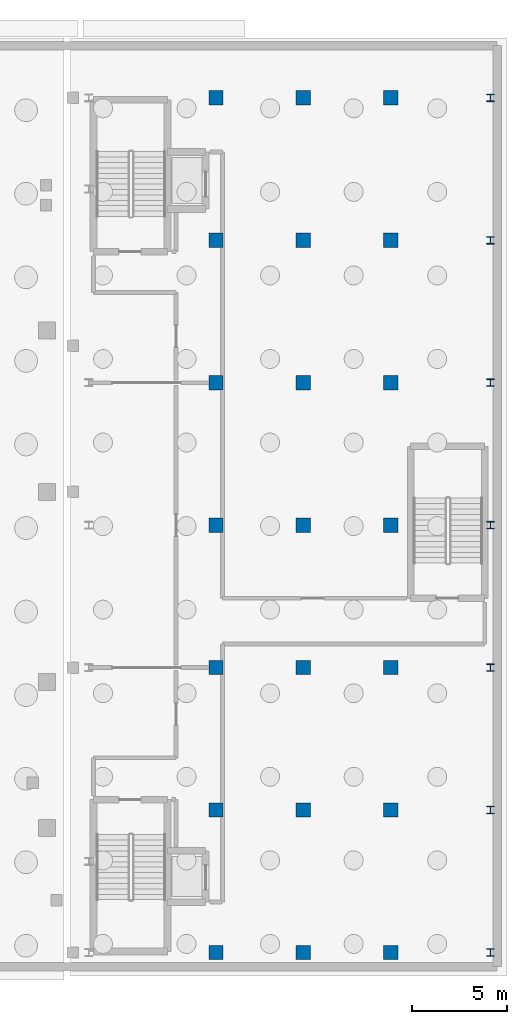
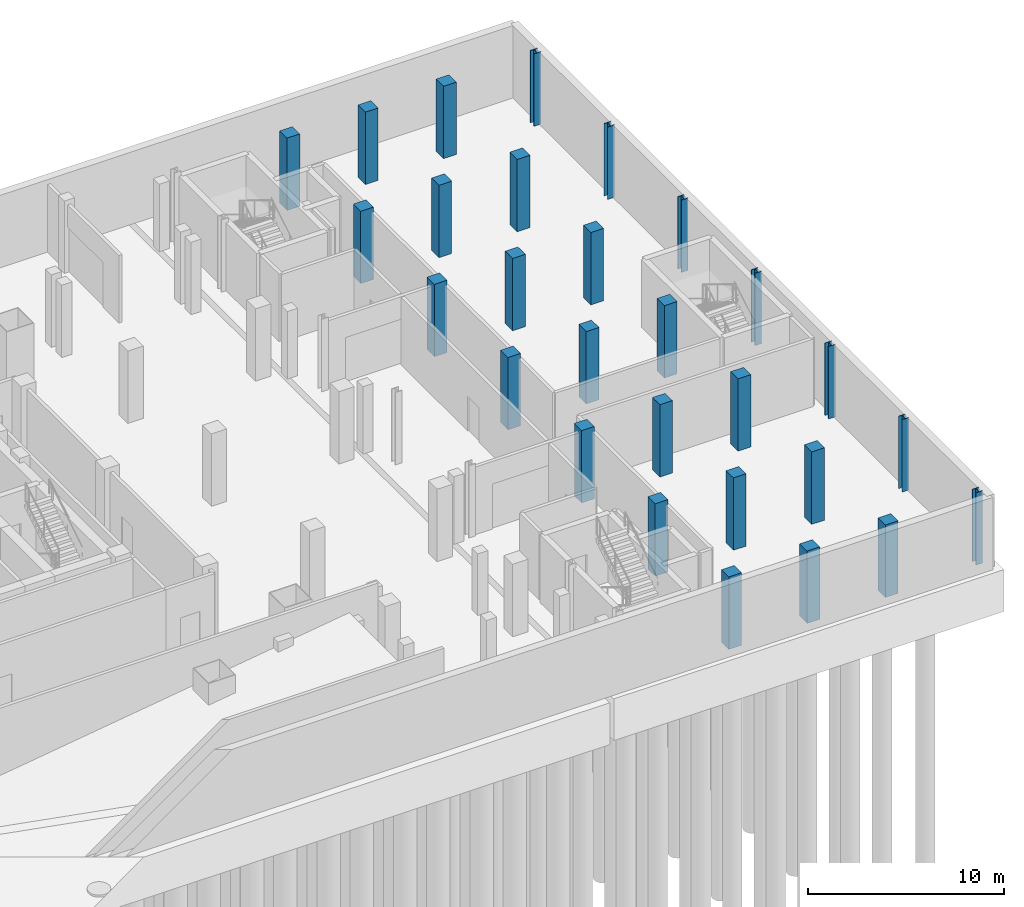
# One storey, part 4 of 15: 28 columns.
"""IFC4 building model written with IfcOpenShell, lengths in metres."""

from ifc_helpers import new_model, si_unit, direction, frame, origin, origin_2d, place, context, subcontext, project, spatial, rectangle, i_section, extrude, material, material_profile, profile_set, type_object, element, save


model = new_model("IFC4")

# Units and contexts
model_context = context("Model", 3, precision=1e-05, world=origin(), true_north=direction((0.0, 1.0)))
body_context = subcontext(model_context, "Body", "Model", "MODEL_VIEW")
ifc_project = project(units=[si_unit("LENGTHUNIT", "METRE"), si_unit("AREAUNIT", "SQUARE_METRE"), si_unit("VOLUMEUNIT", "CUBIC_METRE"), si_unit("PLANEANGLEUNIT", "RADIAN"), si_unit("MASSUNIT", "GRAM", prefix="KILO")], contexts=[model_context])

# Site, building, storey
site_placement = place(None, origin())
site = spatial("IfcSite", under=ifc_project, at=site_placement, CompositionType="ELEMENT")
building_placement = place(site_placement, origin())
building = spatial("IfcBuilding", under=site, at=building_placement, Name="Mersakhor Tower and Convention Hall", CompositionType="ELEMENT")
storey_placement = place(building_placement, frame((0.0, 0.0, -9.0)))
storey = spatial("IfcBuildingStorey", under=building, at=storey_placement, Name="B02", CompositionType="ELEMENT", Elevation=-9.0)

# Columns
ifc_material_1 = material(Name="Concrete C50/60", Category="concrete")
ifc_material_profile_1 = material_profile(ifc_material_1, rectangle(XDim=0.75, YDim=0.75, at=origin_2d()), Name="RC 750x750")
ifc_profile_set_1 = profile_set([ifc_material_profile_1], Name="Concrete C50/60")
column_type_1 = type_object("IfcColumnType", Name="COL-RC-750", PredefinedType="COLUMN", material=ifc_profile_set_1)
for number, where, z_axis, x_axis, name in (
    (1, (62.199951171875, 3.25, 0.0), (0.0, 0.0, 1.0), (1.0, 0.0, 0.0), "Convention B02 Interior Column CC-11"),
    (2, (62.199951171875, 10.75, 0.0), (0.0, 0.0, 1.0), (1.0, 0.0, 0.0), "Convention B02 Interior Column CC-12"),
    (3, (62.199951171875, 18.25, 0.0), (0.0, 0.0, 1.0), (1.0, 0.0, 0.0), "Convention B02 Interior Column CC-13"),
    (4, (62.199951171875, 25.75, 0.0), (0.0, 0.0, 1.0), (1.0, 0.0, 0.0), "Convention B02 Interior Column CC-14"),
    (5, (62.199951171875, 33.25, 0.0), (0.0, 0.0, 1.0), (1.0, 0.0, 0.0), "Convention B02 Interior Column CC-15"),
    (6, (62.199951171875, 40.75, 0.0), (0.0, 0.0, 1.0), (1.0, 0.0, 0.0), "Convention B02 Interior Column CC-16"),
    (7, (62.199951171875, 48.25, 0.0), (0.0, 0.0, 1.0), (1.0, 0.0, 0.0), "Convention B02 Interior Column CC-17"),
    (8, (66.800048828125, 3.25, 0.0), (0.0, 0.0, 1.0), (1.0, 0.0, 0.0), "Convention B02 Interior Column CC-21"),
    (9, (66.800048828125, 10.75, 0.0), (0.0, 0.0, 1.0), (1.0, 0.0, 0.0), "Convention B02 Interior Column CC-22"),
    (10, (66.800048828125, 18.25, 0.0), (0.0, 0.0, 1.0), (1.0, 0.0, 0.0), "Convention B02 Interior Column CC-23"),
    (11, (66.800048828125, 25.75, 0.0), (0.0, 0.0, 1.0), (1.0, 0.0, 0.0), "Convention B02 Interior Column CC-24"),
    (12, (66.800048828125, 33.25, 0.0), (0.0, 0.0, 1.0), (1.0, 0.0, 0.0), "Convention B02 Interior Column CC-25"),
    (13, (66.800048828125, 40.75, 0.0), (0.0, 0.0, 1.0), (1.0, 0.0, 0.0), "Convention B02 Interior Column CC-26"),
    (14, (66.800048828125, 48.25, 0.0), (0.0, 0.0, 1.0), (1.0, 0.0, 0.0), "Convention B02 Interior Column CC-27"),
    (15, (71.39990234375, 3.25, 0.0), (0.0, 0.0, 1.0), (1.0, 0.0, 0.0), "Convention B02 Interior Column CC-31"),
    (16, (71.39990234375, 10.75, 0.0), (0.0, 0.0, 1.0), (1.0, 0.0, 0.0), "Convention B02 Interior Column CC-32"),
    (17, (71.39990234375, 18.25, 0.0), (0.0, 0.0, 1.0), (1.0, 0.0, 0.0), "Convention B02 Interior Column CC-33"),
    (18, (71.39990234375, 25.75, 0.0), (0.0, 0.0, 1.0), (1.0, 0.0, 0.0), "Convention B02 Interior Column CC-34"),
    (19, (71.39990234375, 33.25, 0.0), (0.0, 0.0, 1.0), (1.0, 0.0, 0.0), "Convention B02 Interior Column CC-35"),
    (20, (71.39990234375, 40.75, 0.0), (0.0, 0.0, 1.0), (1.0, 0.0, 0.0), "Convention B02 Interior Column CC-36"),
    (21, (71.39990234375, 48.25, 0.0), (0.0, 0.0, 1.0), (1.0, 0.0, 0.0), "Convention B02 Interior Column CC-37"),
):
    element("IfcColumn", number, at=place(storey_placement, frame(where, z_axis=z_axis, x_axis=x_axis)), inside=storey, type_object=column_type_1, Name=name, PredefinedType="COLUMN", context=body_context, shape_type="SweptSolid", body=[
        extrude(rectangle(XDim=0.75, YDim=0.75, at=origin_2d()), origin(), (0.0, 0.0, 1.0), 4.5),
    ])
ifc_material_2 = material(Name="Steel S355", Category="steel")
ifc_material_profile_2 = material_profile(ifc_material_2, i_section(OverallWidth=0.39892578125, OverallDepth=0.3935546875, WebThickness=0.022705078125, FlangeThickness=0.03662109375, at=origin_2d()), Name="UC 356x406x287")
ifc_profile_set_2 = profile_set([ifc_material_profile_2], Name="Steel S355")
column_type_2 = type_object("IfcColumnType", Name="COL-STL-UC356", PredefinedType="COLUMN", material=ifc_profile_set_2)
for number, where, z_axis, x_axis, name in (
    (22, (76.64990234375, 3.25, 0.0), (0.0, 0.0, 1.0), (1.0, 0.0, 0.0), "Convention B02 Perimeter Column SC-E1"),
    (23, (76.64990234375, 10.75, 0.0), (0.0, 0.0, 1.0), (1.0, 0.0, 0.0), "Convention B02 Perimeter Column SC-E2"),
    (24, (76.64990234375, 18.25, 0.0), (0.0, 0.0, 1.0), (1.0, 0.0, 0.0), "Convention B02 Perimeter Column SC-E3"),
    (25, (76.64990234375, 25.75, 0.0), (0.0, 0.0, 1.0), (1.0, 0.0, 0.0), "Convention B02 Perimeter Column SC-E4"),
    (26, (76.64990234375, 33.25, 0.0), (0.0, 0.0, 1.0), (1.0, 0.0, 0.0), "Convention B02 Perimeter Column SC-E5"),
    (27, (76.64990234375, 40.75, 0.0), (0.0, 0.0, 1.0), (1.0, 0.0, 0.0), "Convention B02 Perimeter Column SC-E6"),
    (28, (76.64990234375, 48.25, 0.0), (0.0, 0.0, 1.0), (1.0, 0.0, 0.0), "Convention B02 Perimeter Column SC-E7"),
):
    element("IfcColumn", number, at=place(storey_placement, frame(where, z_axis=z_axis, x_axis=x_axis)), inside=storey, type_object=column_type_2, Name=name, PredefinedType="COLUMN", context=body_context, shape_type="SweptSolid", body=[
        extrude(i_section(OverallWidth=0.39892578125, OverallDepth=0.3935546875, WebThickness=0.022705078125, FlangeThickness=0.03662109375, at=origin_2d()), origin(), (0.0, 0.0, 1.0), 4.5),
    ])

save(model, "model.ifc")
